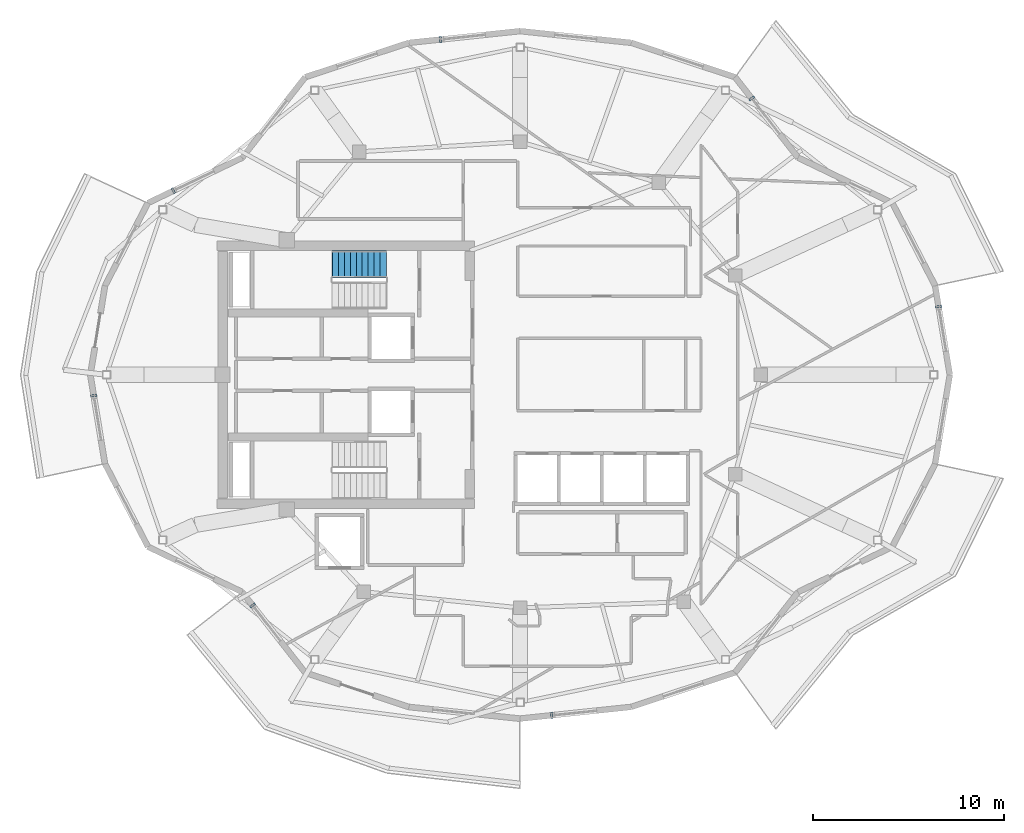
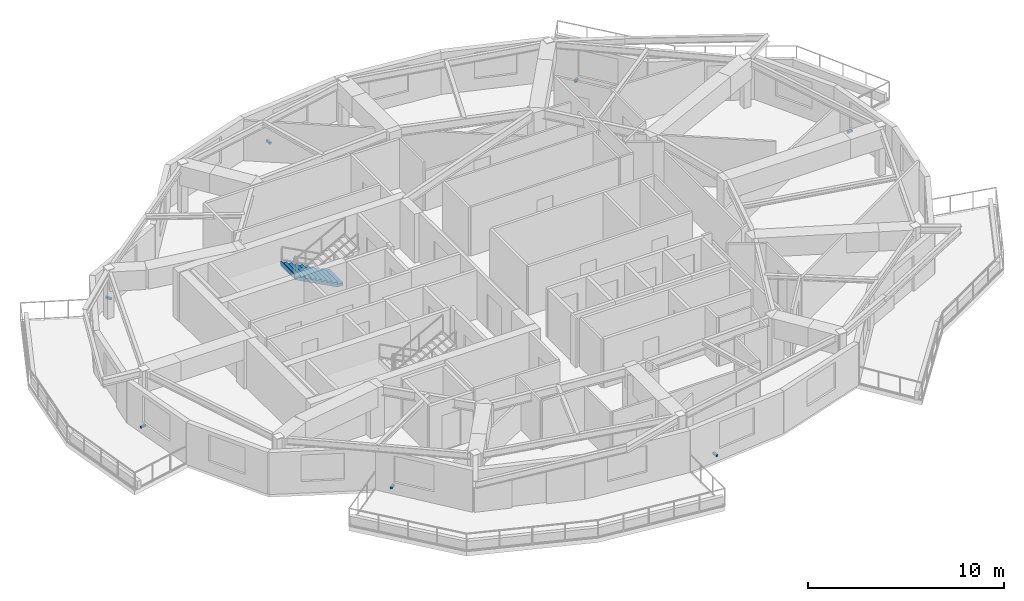
# One storey, part 8 of 11: 7 discrete accessories, 1 stair flight, 1 element without a shape of its own.
"""IFC4 building model written with IfcOpenShell, lengths in metres."""

from ifc_helpers import new_model, si_unit, direction, frame, origin, origin_2d, place, context, subcontext, project, spatial, polyline, rectangle, outline, extrude, material, type_object, element, aggregate, save


model = new_model("IFC4")

# Units and contexts
model_context = context("Model", 3, precision=1e-05, world=origin(), true_north=direction((0.0, 1.0)))
body_context = subcontext(model_context, "Body", "Model", "MODEL_VIEW")
ifc_project = project(units=[si_unit("LENGTHUNIT", "METRE"), si_unit("AREAUNIT", "SQUARE_METRE"), si_unit("VOLUMEUNIT", "CUBIC_METRE"), si_unit("PLANEANGLEUNIT", "RADIAN"), si_unit("MASSUNIT", "GRAM", prefix="KILO")], contexts=[model_context])

# Site, building, storey
site_placement = place(None, origin())
site = spatial("IfcSite", under=ifc_project, at=site_placement, CompositionType="ELEMENT")
building_placement = place(site_placement, origin())
building = spatial("IfcBuilding", under=site, at=building_placement, Name="Kolvaren Gate Tower and Convention Centre", CompositionType="ELEMENT")
storey_placement = place(building_placement, frame((0.0, 0.0, 255.800048828125)))
storey = spatial("IfcBuildingStorey", under=building, at=storey_placement, Name="L69", CompositionType="ELEMENT", Elevation=255.800048828125)

# Stair, stair flight
ifc_material_1 = material(Name="Concrete C50/60", Category="concrete")
stair_type = type_object("IfcStairType", Name="STR-STAIR-CORE", PredefinedType="HALF_TURN_STAIR", material=ifc_material_1)
stair_placement = place(storey_placement, origin())
stair = element("IfcStair", 1, at=stair_placement, inside=storey, type_object=stair_type, Name="L69 Tower North Exit Stair ST-T1", PredefinedType="HALF_TURN_STAIR")
stair_flight_type = type_object("IfcStairFlightType", Name="STR-SFL-1420", PredefinedType="STRAIGHT", material=ifc_material_1)
stair_flight_placement = place(storey_placement, frame((23.10009765625, 32.7900390625, 0.0), z_axis=(0.0, 0.0, 1.0), x_axis=(-1.0, 0.0, 0.0)))
stair_flight = element("IfcStairFlight", 2, at=stair_flight_placement, type_object=stair_flight_type, Name="ST-T1 flight 1", NumberOfRisers=10, NumberOfTreads=9, PredefinedType="STRAIGHT", RiserHeight=0.165, TreadLength=0.31, context=body_context, shape_type="SweptSolid", body=[
    extrude(outline(polyline([(-0.034912109375, 0.0), (-0.034912109375, 0.1650390625), (0.31005859375, 0.1650390625), (0.31005859375, 0.330078125), (0.6201171875, 0.330078125), (0.6201171875, 0.4951171875), (0.929931640625, 0.4951171875), (0.929931640625, 0.659912109375), (1.239990234375, 0.659912109375), (1.239990234375, 0.824951171875), (1.550048828125, 0.824951171875), (1.550048828125, 0.989990234375), (1.860107421875, 0.989990234375), (1.860107421875, 1.155029296875), (2.169921875, 1.155029296875), (2.169921875, 1.320068359375), (2.47998046875, 1.320068359375), (2.47998046875, 1.485107421875), (2.7900390625, 1.485107421875), (2.7900390625, 1.64990234375), (2.8349609375, 1.64990234375), (2.8349609375, 1.489990234375), (2.7900390625, 1.315185546875), (0.319091796875, 0.0), (-0.034912109375, 0.0)])), frame((0.0, 0.7099609375, 0.0), z_axis=(0.0, -1.0, 0.0), x_axis=(1.0, 0.0, 0.0)), (0.0, 0.0, 1.0), 1.419921875),
])
aggregate(stair, [stair_flight])

# Discrete accessories
ifc_material_2 = material(Name="Anodized Architectural Aluminium Alloy 6063-T6", Category="aluminium")
discrete_accessory_type = type_object("IfcDiscreteAccessoryType", Name="ARCH-ACC-BRACKET-120", PredefinedType="BRACKET", material=ifc_material_2)
for number, where, z_axis, x_axis, name in (
    (3, (52.037109375, 30.572265625, 0.289794921875), (0.0, 0.0, 1.0), (0.162389178836, -0.986726788223, 0.0), "Ceramic Fin Wall Anchor Bracket FBK-L69-00"),
    (4, (42.249755859375, 41.47119140625, 0.289794921875), (0.0, 0.0, 1.0), (0.616435493395, -0.787405411769, 0.0), "Ceramic Fin Wall Anchor Bracket FBK-L69-03"),
    (5, (25.96044921875, 44.561279296875, 0.289794921875), (0.0, 0.0, 1.0), (0.994499981166, 0.104736753152, 0.0), "Ceramic Fin Wall Anchor Bracket FBK-L69-06"),
    (6, (11.970703125, 36.6396484375, 0.289794921875), (0.0, 0.0, 1.0), (0.901357634097, 0.433075530889, 0.0), "Ceramic Fin Wall Anchor Bracket FBK-L69-09"),
    (7, (7.8037109375, 25.91357421875, 0.289794921875), (0.0, 0.0, 1.0), (0.162389178836, -0.986726788223, 0.0), "Ceramic Fin Wall Anchor Bracket FBK-L69-12"),
    (8, (16.121337890625, 14.928955078125, 0.289794921875), (0.0, 0.0, 1.0), (0.616435493395, -0.787405411769, 0.0), "Ceramic Fin Wall Anchor Bracket FBK-L69-15"),
    (9, (31.78369140625, 9.1748046875, 0.289794921875), (0.0, 0.0, 1.0), (0.994499981166, 0.104736753152, 0.0), "Ceramic Fin Wall Anchor Bracket FBK-L69-18"),
):
    element("IfcDiscreteAccessory", number, at=place(storey_placement, frame(where, z_axis=z_axis, x_axis=x_axis)), inside=storey, type_object=discrete_accessory_type, Name=name, PredefinedType="BRACKET", context=body_context, shape_type="SweptSolid", body=[
        extrude(rectangle(XDim=0.1201171875, YDim=0.320068359375, at=origin_2d()), origin(), (0.0, 0.0, 1.0), 0.1201171875),
    ])

save(model, "model.ifc")
